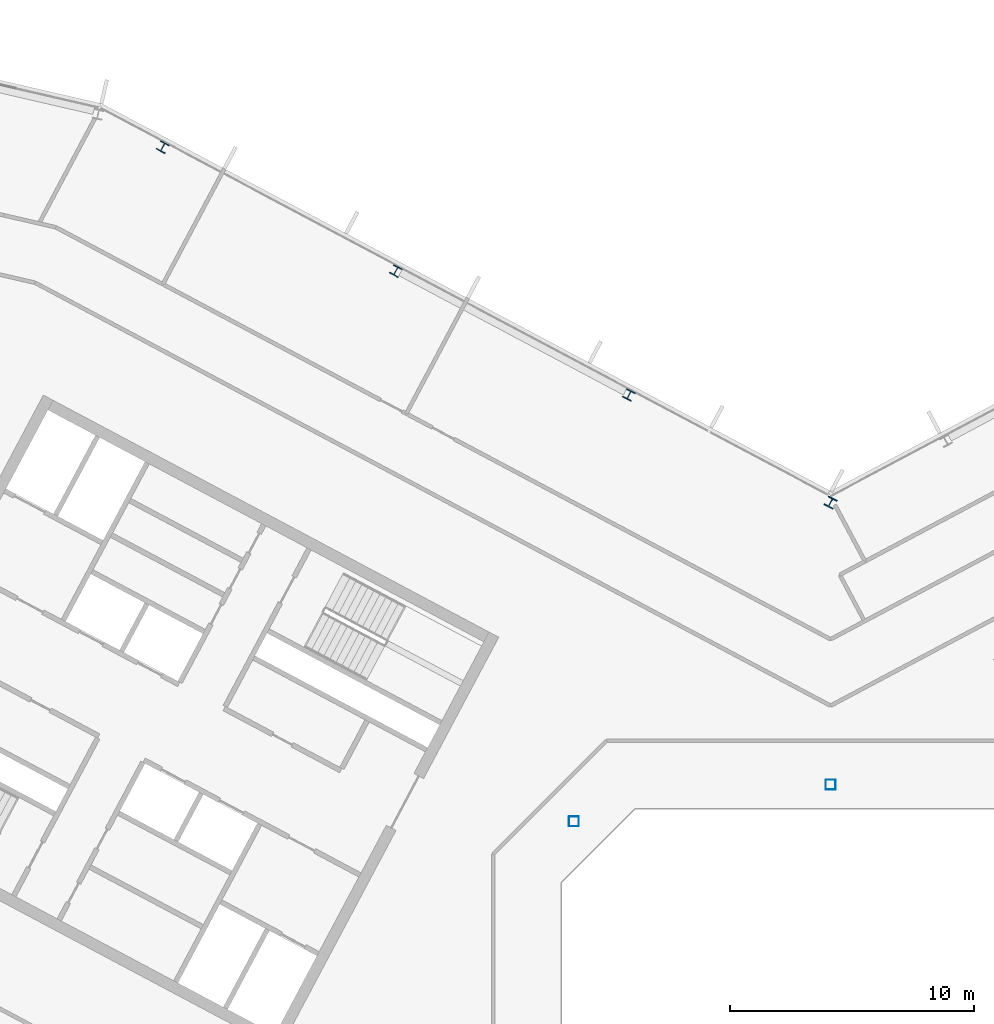
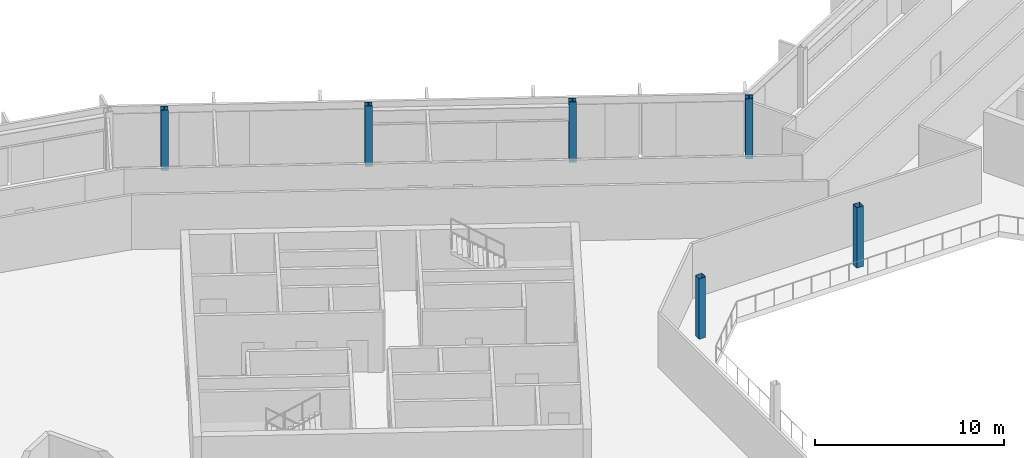
# One storey, part 4 of 26: 6 columns.
"""IFC4 building model written with IfcOpenShell, lengths in metres."""

from ifc_helpers import new_model, si_unit, direction, frame, origin, origin_2d, place, context, subcontext, project, spatial, hollow_rectangle, i_section, extrude, material, material_profile, profile_set, type_object, element, save


model = new_model("IFC4")

# Units and contexts
model_context = context("Model", 3, precision=1e-05, world=origin(), true_north=direction((0.0, 1.0)))
body_context = subcontext(model_context, "Body", "Model", "MODEL_VIEW")
ifc_project = project(units=[si_unit("LENGTHUNIT", "METRE"), si_unit("AREAUNIT", "SQUARE_METRE"), si_unit("VOLUMEUNIT", "CUBIC_METRE"), si_unit("PLANEANGLEUNIT", "RADIAN"), si_unit("MASSUNIT", "GRAM", prefix="KILO")], contexts=[model_context])

# Site, building, storey
site_placement = place(None, origin())
site = spatial("IfcSite", under=ifc_project, at=site_placement, CompositionType="ELEMENT")
building_placement = place(site_placement, origin())
building = spatial("IfcBuilding", under=site, at=building_placement, Name="Cormorant Relay Tower", CompositionType="ELEMENT")
storey_placement = place(building_placement, frame((0.0, 0.0, 308.699951171875)))
storey = spatial("IfcBuildingStorey", under=building, at=storey_placement, Name="L70", CompositionType="ELEMENT", Elevation=308.699951171875)

# Columns
ifc_material_1 = material(Name="Steel ASTM A500 Grade C (Fy 345 MPa)", Category="steel")
ifc_material_profile_1 = material_profile(ifc_material_1, hollow_rectangle(XDim=0.406494140625, YDim=0.406494140625, WallThickness=0.0087890625, InnerFilletRadius=0.00439453125, OuterFilletRadius=0.01318359375, at=origin_2d()), Name="HSS406x406x9")
ifc_profile_set_1 = profile_set([ifc_material_profile_1], Name="Steel ASTM A500 Grade C (Fy 345 MPa)")
column_type_1 = type_object("IfcColumnType", Name="Column HSS406x406x9", PredefinedType="COLUMN", material=ifc_profile_set_1)
for number, where, z_axis, x_axis, name in (
    (1, (-10.5, 10.5, 0.0), (0.0, 0.0, 1.0), (1.0, 0.0, 0.0), "Column L70-023"),
    (2, (0.0, 12.0, 0.0), (0.0, 0.0, 1.0), (1.0, 0.0, 0.0), "Column L70-025"),
):
    element("IfcColumn", number, at=place(storey_placement, frame(where, z_axis=z_axis, x_axis=x_axis)), inside=storey, type_object=column_type_1, Name=name, PredefinedType="COLUMN", context=body_context, shape_type="SweptSolid", body=[
        extrude(hollow_rectangle(XDim=0.406494140625, YDim=0.406494140625, WallThickness=0.0087890625, InnerFilletRadius=0.00439453125, OuterFilletRadius=0.01318359375, at=origin_2d()), origin(), (0.0, 0.0, 1.0), 3.900146484375),
    ])
ifc_material_2 = material(Name="Steel ASTM A992 (Fy 345 MPa)", Category="steel")
ifc_material_profile_2 = material_profile(ifc_material_2, i_section(OverallWidth=0.398681640625, OverallDepth=0.385986328125, WebThickness=0.02099609375, FlangeThickness=0.033203125, FilletRadius=0.01513671875, at=origin_2d()), Name="W360x262")
ifc_profile_set_2 = profile_set([ifc_material_profile_2], Name="Steel ASTM A992 (Fy 345 MPa)")
column_type_2 = type_object("IfcColumnType", Name="Column W360x262", PredefinedType="COLUMN", material=ifc_profile_set_2)
for number, where, z_axis, x_axis, name in (
    (3, (-8.2470703125, 27.943115234375, 0.0), (0.0, 0.0, 1.0), (-0.882947592859, 0.469471562786, 0.0), "Column L70-032"),
    (4, (-17.782958984375, 33.012939453125, 0.0), (0.0, 0.0, 1.0), (-0.882947592859, 0.469471562786, 0.0), "Column L70-036"),
    (5, (-27.319091796875, 38.0830078125, 0.0), (0.0, 0.0, 1.0), (-0.882947592859, 0.469471562786, 0.0), "Column L70-040"),
):
    element("IfcColumn", number, at=place(storey_placement, frame(where, z_axis=z_axis, x_axis=x_axis)), inside=storey, type_object=column_type_2, Name=name, PredefinedType="COLUMN", context=body_context, shape_type="SweptSolid", body=[
        extrude(i_section(OverallWidth=0.398681640625, OverallDepth=0.385986328125, WebThickness=0.02099609375, FlangeThickness=0.033203125, FilletRadius=0.01513671875, at=origin_2d()), origin(), (0.0, 0.0, 1.0), 3.900146484375),
    ])
ifc_material_3 = material(Name="Steel ASTM A992 (Fy 345 MPa)", Category="steel")
ifc_material_profile_3 = material_profile(ifc_material_3, i_section(OverallWidth=0.40380859375, OverallDepth=0.406494140625, WebThickness=0.027099609375, FlangeThickness=0.043701171875, FilletRadius=0.01513671875, at=origin_2d()), Name="W360x347")
ifc_profile_set_3 = profile_set([ifc_material_profile_3], Name="Steel ASTM A992 (Fy 345 MPa)")
column_type_3 = type_object("IfcColumnType", Name="Column W360x347", PredefinedType="COLUMN", material=ifc_profile_set_3)
column_placement = place(storey_placement, frame((0.0, 23.5439453125, 0.0), z_axis=(0.0, 0.0, 1.0), x_axis=(-0.882947592859, 0.469471562786, 0.0)))
element("IfcColumn", 6, at=column_placement, inside=storey, type_object=column_type_3, Name="Column L70-029", PredefinedType="COLUMN", context=body_context, shape_type="SweptSolid", body=[
    extrude(i_section(OverallWidth=0.40380859375, OverallDepth=0.406494140625, WebThickness=0.027099609375, FlangeThickness=0.043701171875, FilletRadius=0.01513671875, at=origin_2d()), origin(), (0.0, 0.0, 1.0), 3.900146484375),
])

save(model, "model.ifc")
